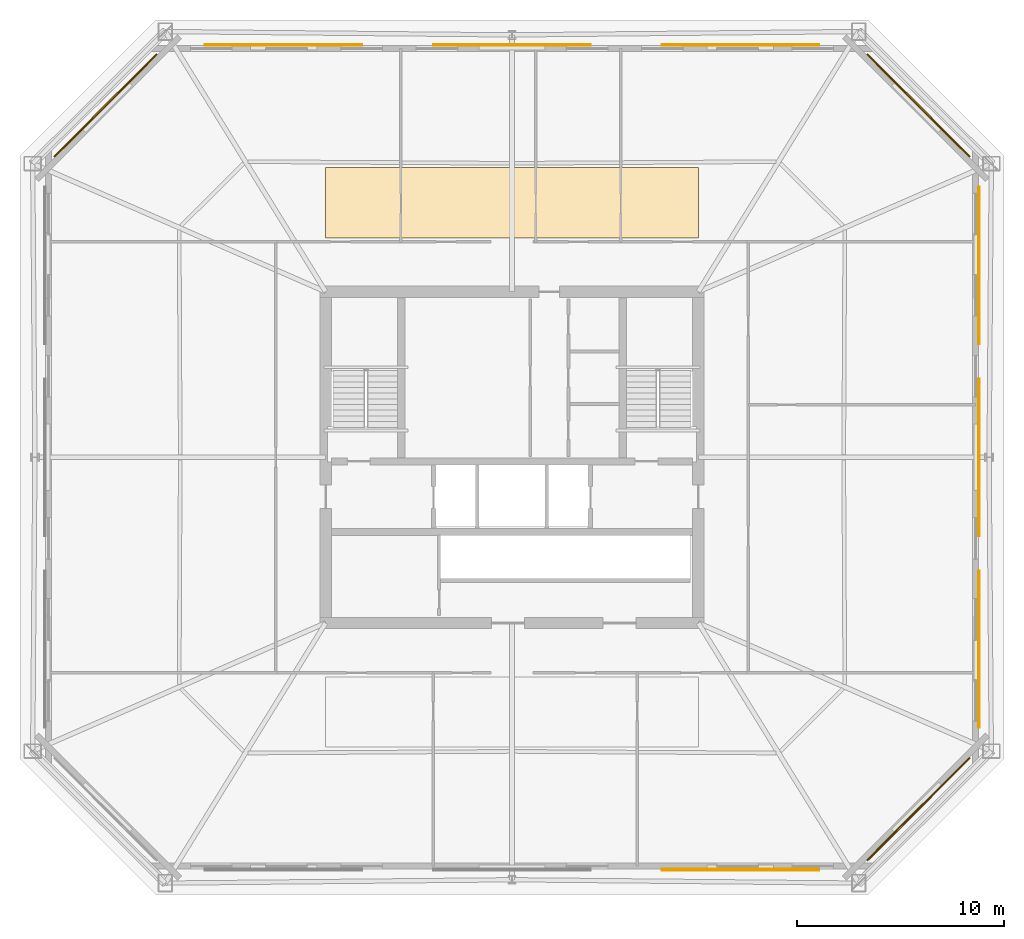
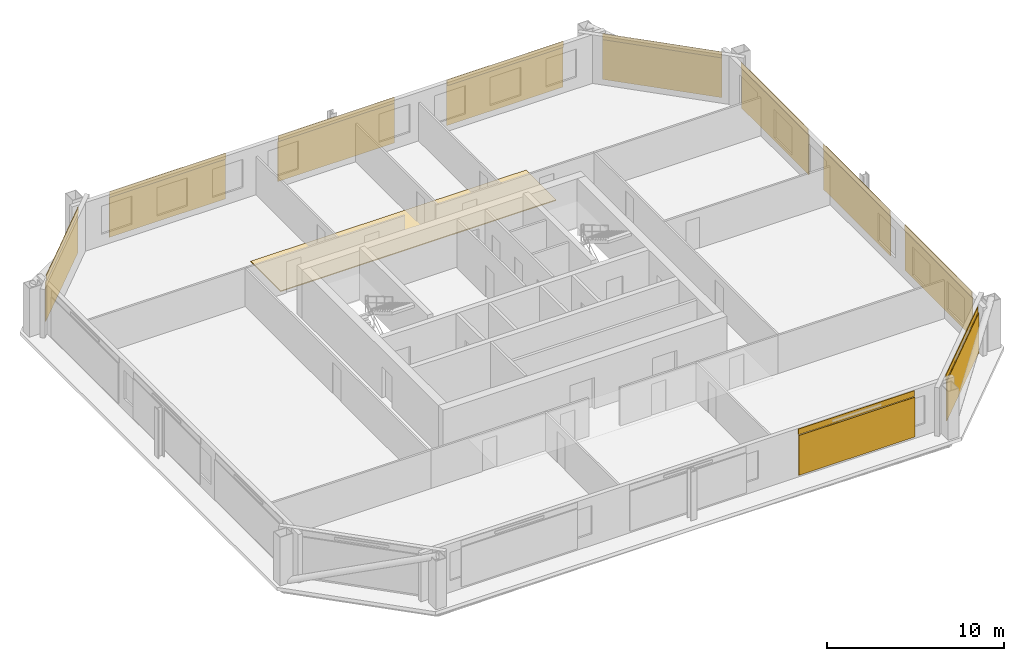
# One storey, part 7 of 7: 11 coverings, 10 shading devices.
"""IFC4 building model written with IfcOpenShell, lengths in metres."""

from ifc_helpers import new_model, si_unit, direction, frame, origin, origin_2d, place, context, subcontext, project, spatial, polyline, rectangle, outline, extrude, material, layer, layer_set, type_object, element, save


model = new_model("IFC4")

# Units and contexts
model_context = context("Model", 3, precision=1e-05, world=origin(), true_north=direction((0.0, 1.0)))
body_context = subcontext(model_context, "Body", "Model", "MODEL_VIEW")
ifc_project = project(units=[si_unit("LENGTHUNIT", "METRE"), si_unit("AREAUNIT", "SQUARE_METRE"), si_unit("VOLUMEUNIT", "CUBIC_METRE"), si_unit("PLANEANGLEUNIT", "RADIAN"), si_unit("MASSUNIT", "GRAM", prefix="KILO")], contexts=[model_context])

# Site, building, storey
site_placement = place(None, origin())
site = spatial("IfcSite", under=ifc_project, at=site_placement, CompositionType="ELEMENT")
building_placement = place(site_placement, origin())
building = spatial("IfcBuilding", under=site, at=building_placement, Name="Caelvoria Tower", CompositionType="ELEMENT")
storey_placement = place(building_placement, frame((0.0, 0.0, 177.0)))
storey = spatial("IfcBuildingStorey", under=building, at=storey_placement, Name="L46", CompositionType="ELEMENT", Elevation=177.0)

# Coverings
ifc_material_1 = material(Name="Perforated Architectural Bronze Cladding Screen", Category="bronze")
ifc_layer_1 = layer(ifc_material_1, 0.0400390625, Name="Perforated Architectural Bronze Cladding Screen")
ifc_layer_set_1 = layer_set([ifc_layer_1], Name="Perforated Bronze Louvre Cladding Band 40 - Perforated Architectural Bronze Cladding Screen")
covering_type_1 = type_object("IfcCoveringType", Name="Perforated Bronze Louvre Cladding Band 40", PredefinedType="CLADDING", material=ifc_layer_set_1)
covering_1_placement = place(storey_placement, frame((57.026611328125, 12.10791015625, 2.93994140625), z_axis=(0.0, 0.0, 1.0), x_axis=(1.0, 0.0, 0.0)))
element("IfcCovering", 1, at=covering_1_placement, inside=storey, type_object=covering_type_1, Name="Perforated Bronze Screen Band L46-E0-02", PredefinedType="CLADDING", context=body_context, shape_type="SweptSolid", body=[
    extrude(rectangle(XDim=7.60009765625, YDim=0.0400390625, at=origin_2d()), origin(), (0.0, 0.0, 1.0), 0.39990234375),
])
covering_2_placement = place(storey_placement, frame((65.61181640625, 15.0283203125, 2.93994140625), z_axis=(0.0, 0.0, 1.0), x_axis=(0.707106781187, 0.707106781187, 0.0)))
element("IfcCovering", 2, at=covering_2_placement, inside=storey, type_object=covering_type_1, Name="Perforated Bronze Screen Band L46-E1-00", PredefinedType="CLADDING", context=body_context, shape_type="SweptSolid", body=[
    extrude(rectangle(XDim=7.00244140625, YDim=0.0400390625, at=origin_2d()), origin(), (0.0, 0.0, 1.0), 0.39990234375),
])
for number, where, z_axis, x_axis, name in (
    (3, (68.531982421875, 22.7333984375, 2.93994140625), (0.0, 0.0, 1.0), (0.0, 1.0, 0.0), "Perforated Bronze Screen Band L46-E2-00"),
    (4, (68.531982421875, 32.0, 2.93994140625), (0.0, 0.0, 1.0), (0.0, 1.0, 0.0), "Perforated Bronze Screen Band L46-E2-01"),
    (5, (68.531982421875, 41.2666015625, 2.93994140625), (0.0, 0.0, 1.0), (0.0, 1.0, 0.0), "Perforated Bronze Screen Band L46-E2-02"),
):
    element("IfcCovering", number, at=place(storey_placement, frame(where, z_axis=z_axis, x_axis=x_axis)), inside=storey, type_object=covering_type_1, Name=name, PredefinedType="CLADDING", context=body_context, shape_type="SweptSolid", body=[
        extrude(rectangle(XDim=7.60009765625, YDim=0.0400390625, at=origin_2d()), origin(), (0.0, 0.0, 1.0), 0.39990234375),
    ])
covering_3_placement = place(storey_placement, frame((65.61181640625, 48.9716796875, 2.93994140625), z_axis=(0.0, 0.0, 1.0), x_axis=(-0.707106781187, 0.707106781187, 0.0)))
element("IfcCovering", 6, at=covering_3_placement, inside=storey, type_object=covering_type_1, Name="Perforated Bronze Screen Band L46-E3-00", PredefinedType="CLADDING", context=body_context, shape_type="SweptSolid", body=[
    extrude(rectangle(XDim=7.00244140625, YDim=0.0400390625, at=origin_2d()), origin(), (0.0, 0.0, 1.0), 0.39990234375),
])
for number, where, z_axis, x_axis, name in (
    (7, (57.026611328125, 51.89208984375, 2.93994140625), (0.0, 0.0, 1.0), (-1.0, 0.0, 0.0), "Perforated Bronze Screen Band L46-E4-00"),
    (8, (46.0, 51.89208984375, 2.93994140625), (0.0, 0.0, 1.0), (-1.0, 0.0, 0.0), "Perforated Bronze Screen Band L46-E4-01"),
    (9, (34.973388671875, 51.89208984375, 2.93994140625), (0.0, 0.0, 1.0), (-1.0, 0.0, 0.0), "Perforated Bronze Screen Band L46-E4-02"),
):
    element("IfcCovering", number, at=place(storey_placement, frame(where, z_axis=z_axis, x_axis=x_axis)), inside=storey, type_object=covering_type_1, Name=name, PredefinedType="CLADDING", context=body_context, shape_type="SweptSolid", body=[
        extrude(rectangle(XDim=7.60009765625, YDim=0.0400390625, at=origin_2d()), origin(), (0.0, 0.0, 1.0), 0.39990234375),
    ])
covering_4_placement = place(storey_placement, frame((26.38818359375, 48.9716796875, 2.93994140625), z_axis=(0.0, 0.0, 1.0), x_axis=(-0.707106781187, -0.707106781187, 0.0)))
element("IfcCovering", 10, at=covering_4_placement, inside=storey, type_object=covering_type_1, Name="Perforated Bronze Screen Band L46-E5-00", PredefinedType="CLADDING", context=body_context, shape_type="SweptSolid", body=[
    extrude(rectangle(XDim=7.00244140625, YDim=0.0400390625, at=origin_2d()), origin(), (0.0, 0.0, 1.0), 0.39990234375),
])

# Shading devices
ifc_material_2 = material(Name="Perforated Architectural Bronze Alloy Panel", Category="bronze")
ifc_layer_2 = layer(ifc_material_2, 0.044921875, Name="Perforated Architectural Bronze Alloy Panel")
ifc_layer_set_2 = layer_set([ifc_layer_2], Name="Perforated Bronze Solar Screen Panel SCREEN - Perforated Architectural Bronze Alloy Panel")
shading_device_type = type_object("IfcShadingDeviceType", Name="Perforated Bronze Solar Screen Panel SCREEN", PredefinedType="USERDEFINED", material=ifc_layer_set_2)
shading_device_1_placement = place(storey_placement, frame((57.026611328125, 12.06494140625, 0.159912109375), z_axis=(0.0, 0.0, 1.0), x_axis=(1.0, 0.0, 0.0)))
element("IfcShadingDevice", 11, at=shading_device_1_placement, inside=storey, type_object=shading_device_type, Name="Perforated Bronze Solar Screen L46-E0-02", ObjectType="SCREEN", PredefinedType="USERDEFINED", context=body_context, shape_type="SweptSolid", body=[
    extrude(rectangle(XDim=7.60009765625, YDim=0.044921875, at=origin_2d()), origin(), (0.0, 0.0, 1.0), 2.75),
])
shading_device_2_placement = place(storey_placement, frame((65.64208984375, 14.997802734375, 0.159912109375), z_axis=(0.0, 0.0, 1.0), x_axis=(0.707106781187, 0.707106781187, 0.0)))
element("IfcShadingDevice", 12, at=shading_device_2_placement, inside=storey, type_object=shading_device_type, Name="Perforated Bronze Solar Screen L46-E1-00", ObjectType="SCREEN", PredefinedType="USERDEFINED", context=body_context, shape_type="SweptSolid", body=[
    extrude(rectangle(XDim=7.00244140625, YDim=0.044921875, at=origin_2d()), origin(), (0.0, 0.0, 1.0), 2.75),
])
for number, where, z_axis, x_axis, name in (
    (13, (68.574951171875, 22.7333984375, 0.159912109375), (0.0, 0.0, 1.0), (0.0, 1.0, 0.0), "Perforated Bronze Solar Screen L46-E2-00"),
    (14, (68.574951171875, 32.0, 0.159912109375), (0.0, 0.0, 1.0), (0.0, 1.0, 0.0), "Perforated Bronze Solar Screen L46-E2-01"),
    (15, (68.574951171875, 41.2666015625, 0.159912109375), (0.0, 0.0, 1.0), (0.0, 1.0, 0.0), "Perforated Bronze Solar Screen L46-E2-02"),
):
    element("IfcShadingDevice", number, at=place(storey_placement, frame(where, z_axis=z_axis, x_axis=x_axis)), inside=storey, type_object=shading_device_type, Name=name, ObjectType="SCREEN", PredefinedType="USERDEFINED", context=body_context, shape_type="SweptSolid", body=[
        extrude(rectangle(XDim=7.60009765625, YDim=0.044921875, at=origin_2d()), origin(), (0.0, 0.0, 1.0), 2.75),
    ])
shading_device_3_placement = place(storey_placement, frame((65.64208984375, 49.002197265625, 0.159912109375), z_axis=(0.0, 0.0, 1.0), x_axis=(-0.707106781187, 0.707106781187, 0.0)))
element("IfcShadingDevice", 16, at=shading_device_3_placement, inside=storey, type_object=shading_device_type, Name="Perforated Bronze Solar Screen L46-E3-00", ObjectType="SCREEN", PredefinedType="USERDEFINED", context=body_context, shape_type="SweptSolid", body=[
    extrude(rectangle(XDim=7.00244140625, YDim=0.044921875, at=origin_2d()), origin(), (0.0, 0.0, 1.0), 2.75),
])
for number, where, z_axis, x_axis, name in (
    (17, (57.026611328125, 51.93505859375, 0.159912109375), (0.0, 0.0, 1.0), (-1.0, 0.0, 0.0), "Perforated Bronze Solar Screen L46-E4-00"),
    (18, (46.0, 51.93505859375, 0.159912109375), (0.0, 0.0, 1.0), (-1.0, 0.0, 0.0), "Perforated Bronze Solar Screen L46-E4-01"),
    (19, (34.973388671875, 51.93505859375, 0.159912109375), (0.0, 0.0, 1.0), (-1.0, 0.0, 0.0), "Perforated Bronze Solar Screen L46-E4-02"),
):
    element("IfcShadingDevice", number, at=place(storey_placement, frame(where, z_axis=z_axis, x_axis=x_axis)), inside=storey, type_object=shading_device_type, Name=name, ObjectType="SCREEN", PredefinedType="USERDEFINED", context=body_context, shape_type="SweptSolid", body=[
        extrude(rectangle(XDim=7.60009765625, YDim=0.044921875, at=origin_2d()), origin(), (0.0, 0.0, 1.0), 2.75),
    ])
shading_device_4_placement = place(storey_placement, frame((26.35791015625, 49.002197265625, 0.159912109375), z_axis=(0.0, 0.0, 1.0), x_axis=(-0.707106781187, -0.707106781187, 0.0)))
element("IfcShadingDevice", 20, at=shading_device_4_placement, inside=storey, type_object=shading_device_type, Name="Perforated Bronze Solar Screen L46-E5-00", ObjectType="SCREEN", PredefinedType="USERDEFINED", context=body_context, shape_type="SweptSolid", body=[
    extrude(rectangle(XDim=7.00244140625, YDim=0.044921875, at=origin_2d()), origin(), (0.0, 0.0, 1.0), 2.75),
])

# Covering
ifc_material_3 = material(Name="Calcium-Sulphate Raised Floor Tile", Category="gypsum")
ifc_layer_3 = layer(ifc_material_3, 0.06005859375, Name="Calcium-Sulphate Raised Floor Tile")
ifc_layer_set_3 = layer_set([ifc_layer_3], Name="Raised Access Office Floor System 120 - Calcium-Sulphate Raised Floor Tile")
covering_type_2 = type_object("IfcCoveringType", Name="Raised Access Office Floor System 120", PredefinedType="FLOORING", material=ifc_layer_set_3)
covering_5_placement = place(storey_placement, origin())
element("IfcCovering", 21, at=covering_5_placement, inside=storey, type_object=covering_type_2, Name="Raised Access Flooring L46", PredefinedType="FLOORING", context=body_context, shape_type="SweptSolid", body=[
    extrude(outline(polyline([(37.0, 42.60009765625), (55.0, 42.60009765625), (55.0, 46.0), (37.0, 46.0), (37.0, 42.60009765625)])), origin(), (0.0, 0.0, 1.0), 0.06005859375),
])

save(model, "model.ifc")
